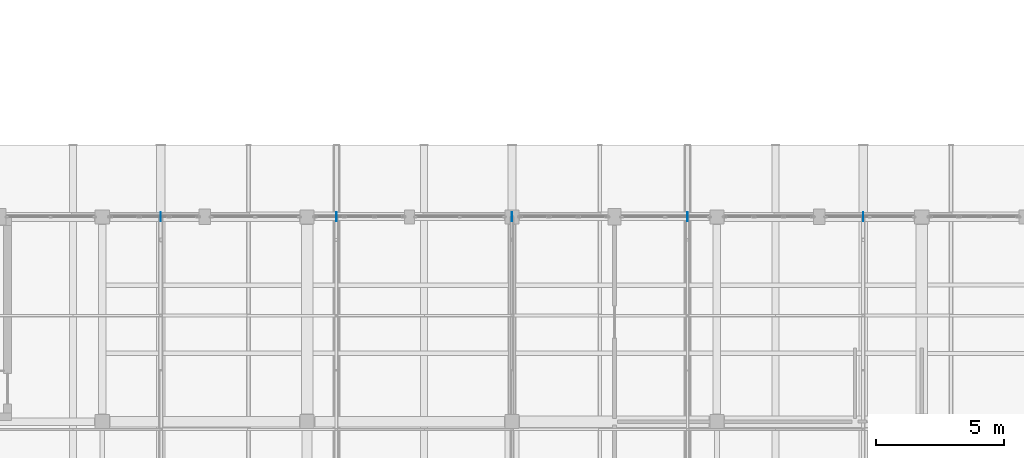
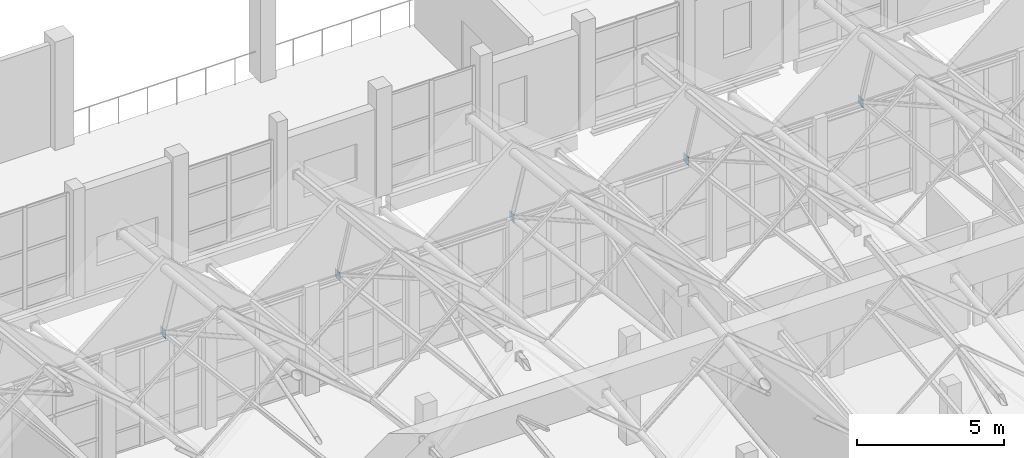
# One storey, part 138 of 183: 5 plates.
"""IFC4 building model written with IfcOpenShell, lengths in metres."""

from ifc_helpers import new_model, si_unit, direction, frame, origin, origin_2d, place, context, subcontext, project, spatial, rectangle, extrude, material, layer, layer_set, type_object, element, save


model = new_model("IFC4")

# Units and contexts
model_context = context("Model", 3, precision=1e-05, world=origin(), true_north=direction((0.0, 1.0)))
body_context = subcontext(model_context, "Body", "Model", "MODEL_VIEW")
ifc_project = project(units=[si_unit("LENGTHUNIT", "METRE"), si_unit("AREAUNIT", "SQUARE_METRE"), si_unit("VOLUMEUNIT", "CUBIC_METRE"), si_unit("PLANEANGLEUNIT", "RADIAN"), si_unit("MASSUNIT", "GRAM", prefix="KILO")], contexts=[model_context])

# Site, building, storey
site_placement = place(None, origin())
site = spatial("IfcSite", under=ifc_project, at=site_placement, CompositionType="ELEMENT")
building_placement = place(site_placement, origin())
building = spatial("IfcBuilding", under=site, at=building_placement, Name="Luwemba Playhouse", CompositionType="ELEMENT")
storey_placement = place(building_placement, frame((0.0, 0.0, 4.800048828125)))
storey = spatial("IfcBuildingStorey", under=building, at=storey_placement, Name="L01", CompositionType="ELEMENT", Elevation=4.800048828125)

# Plates
ifc_material = material(Name="Steel S355", Category="steel")
ifc_layer = layer(ifc_material, 0.01611328125)
ifc_layer_set = layer_set([ifc_layer], Name="Steel S355")
plate_type = type_object("IfcPlateType", Name="PLT-GP1", PredefinedType="USERDEFINED", material=ifc_layer_set)
for number, where, z_axis, x_axis, name in (
    (1, (134.28564453125, 27.0, 4.22998046875), (0.0, 0.0, 1.0), (1.0, 0.0, 0.0), "Truss node gusset cap plate 0138"),
    (2, (141.142822265625, 27.0, 4.22998046875), (0.0, 0.0, 1.0), (1.0, 0.0, 0.0), "Truss node gusset cap plate 0141"),
    (3, (148.0, 27.0, 4.22998046875), (0.0, 0.0, 1.0), (1.0, 0.0, 0.0), "Truss node gusset cap plate 0144"),
    (4, (154.857177734375, 27.0, 4.22998046875), (0.0, 0.0, 1.0), (1.0, 0.0, 0.0), "Truss node gusset cap plate 0147"),
    (5, (161.71435546875, 27.0, 4.22998046875), (0.0, 0.0, 1.0), (1.0, 0.0, 0.0), "Truss node gusset cap plate 0150"),
):
    element("IfcPlate", number, at=place(storey_placement, frame(where, z_axis=z_axis, x_axis=x_axis)), inside=storey, type_object=plate_type, Name=name, ObjectType="GUSSET PLATE", PredefinedType="USERDEFINED", context=body_context, shape_type="SweptSolid", body=[
        extrude(rectangle(XDim=0.01611328125, YDim=0.340087890625, at=origin_2d()), origin(), (0.0, 0.0, 1.0), 0.340087890625),
    ])

save(model, "model.ifc")
